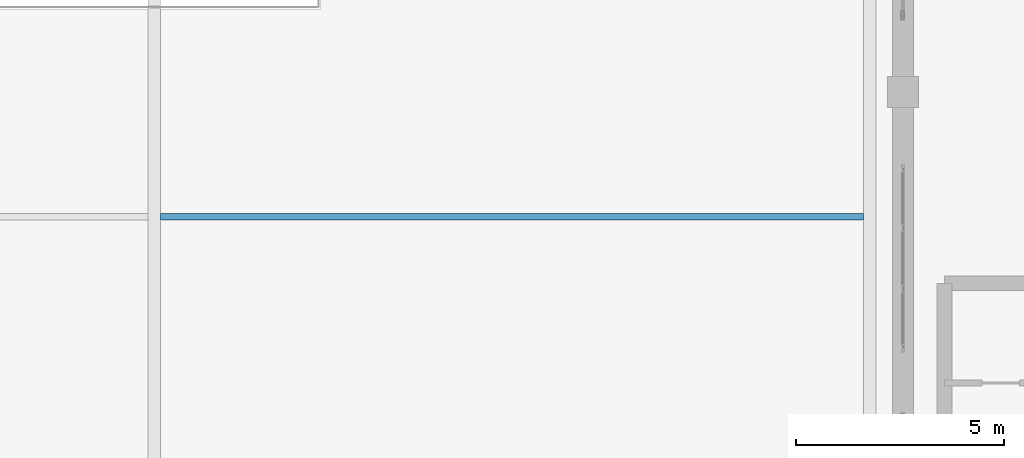
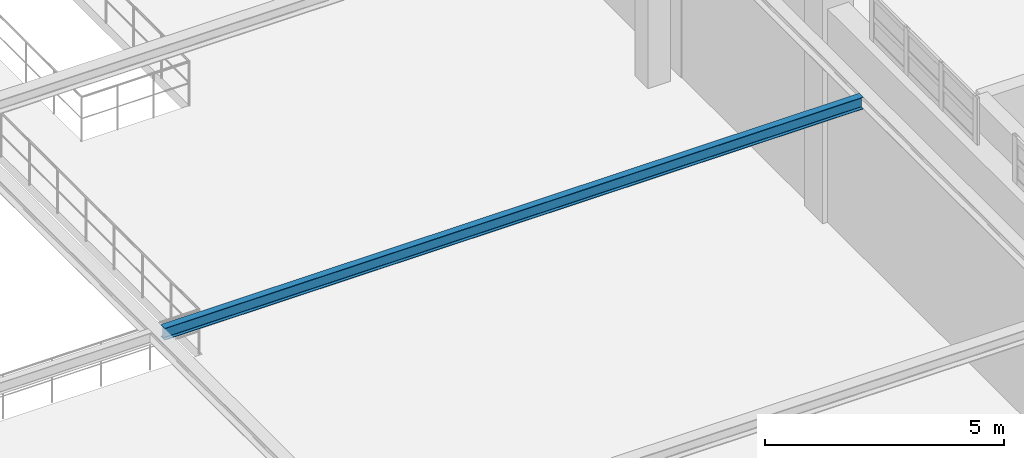
# One storey, part 96 of 197: 1 beam.
"""IFC4 building model written with IfcOpenShell, lengths in metres."""

from ifc_helpers import new_model, si_unit, derived_unit, direction, frame, origin, origin_2d, place, context, subcontext, project, spatial, i_section, extrude, material, material_profile, profile_set, type_object, element, save


model = new_model("IFC4")

# Units and contexts
model_context = context("Model", 3, precision=1e-05, world=origin(), true_north=direction((0.0, 1.0)))
body_context = subcontext(model_context, "Body", "Model", "MODEL_VIEW")
ifc_project = project(units=[si_unit("LENGTHUNIT", "METRE"), si_unit("AREAUNIT", "SQUARE_METRE"), si_unit("VOLUMEUNIT", "CUBIC_METRE"), si_unit("PLANEANGLEUNIT", "RADIAN"), si_unit("MASSUNIT", "GRAM", prefix="KILO"), derived_unit("THERMALTRANSMITTANCEUNIT", [(si_unit("POWERUNIT", "WATT"), 1), (si_unit("LENGTHUNIT", "METRE"), -2), (si_unit("THERMODYNAMICTEMPERATUREUNIT", "KELVIN"), -1)])], contexts=[model_context])

# Site, building, storey
site_placement = place(None, origin())
site = spatial("IfcSite", under=ifc_project, at=site_placement, CompositionType="ELEMENT")
building_placement = place(site_placement, origin())
building = spatial("IfcBuilding", under=site, at=building_placement, Name="Almenara Railside Exhibition Hall", CompositionType="ELEMENT")
storey_placement = place(building_placement, frame((0.0, 0.0, 5.39990234375)))
storey = spatial("IfcBuildingStorey", under=building, at=storey_placement, Name="L01", CompositionType="ELEMENT", Elevation=5.39990234375)

# Beam
ifc_material = material(Name="Structural steel S355JR", Category="steel")
ifc_material_profile = material_profile(ifc_material, i_section(OverallWidth=0.165771484375, OverallDepth=0.306640625, WebThickness=0.006591796875, FlangeThickness=0.01171875, FilletRadius=0.0087890625, at=origin_2d()), Name="UB 305x165x46")
ifc_profile_set = profile_set([ifc_material_profile], Name="Structural steel S355JR")
beam_type = type_object("IfcBeamType", Name="Steel Walkway Joist UB 305x165x46 S355JR", PredefinedType="JOIST", material=ifc_profile_set)
beam_placement = place(storey_placement, frame((120.14990234375, 45.0, 4.932861328125), z_axis=(1.0, 0.0, 0.0), x_axis=(0.0, 1.0, 0.0)))
element("IfcBeam", 1, at=beam_placement, inside=storey, type_object=beam_type, Name="Beam 0786", PredefinedType="JOIST", context=body_context, shape_type="SweptSolid", body=[
    extrude(i_section(OverallWidth=0.165771484375, OverallDepth=0.306640625, WebThickness=0.006591796875, FlangeThickness=0.01171875, FilletRadius=0.0087890625, at=origin_2d()), origin(), (0.0, 0.0, 1.0), 16.900146484375),
])

save(model, "model.ifc")
